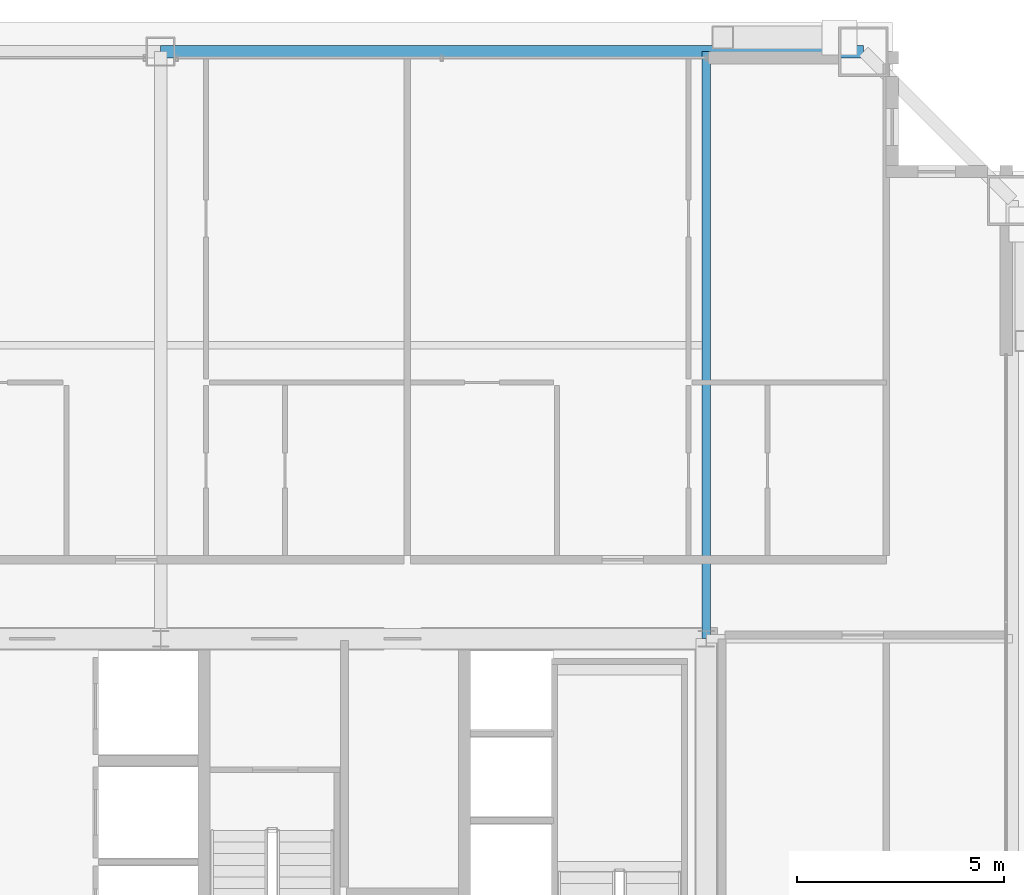
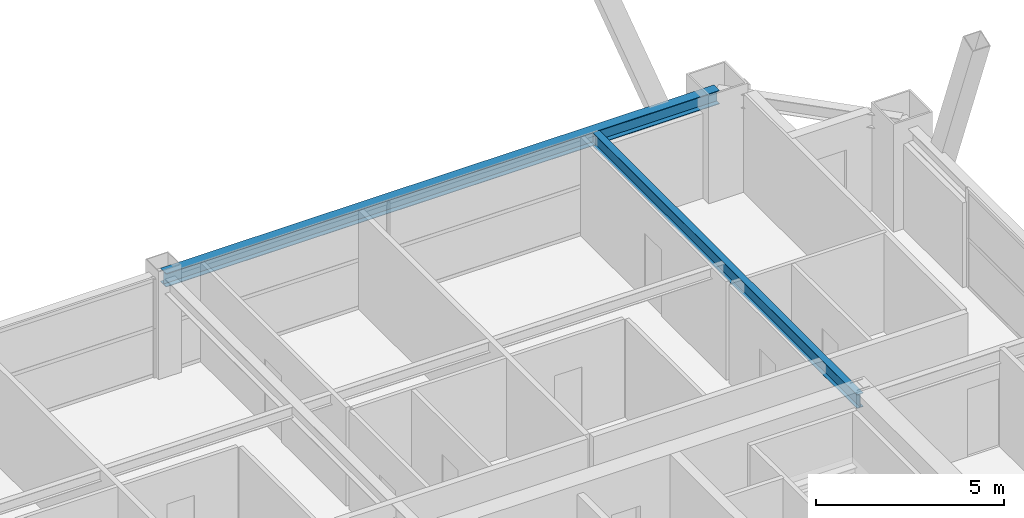
# One storey, part 28 of 36: 2 beams.
"""IFC4 building model written with IfcOpenShell, lengths in metres."""

from ifc_helpers import new_model, si_unit, direction, frame, origin, origin_2d, place, context, subcontext, project, spatial, i_section, extrude, source, transform, mapped, material, material_profile, profile_set, type_object, element, save


model = new_model("IFC4")

# Units and contexts
model_context = context("Model", 3, precision=1e-05, world=origin(), true_north=direction((0.0, 1.0)))
body_context = subcontext(model_context, "Body", "Model", "MODEL_VIEW")
ifc_project = project(units=[si_unit("LENGTHUNIT", "METRE"), si_unit("AREAUNIT", "SQUARE_METRE"), si_unit("VOLUMEUNIT", "CUBIC_METRE"), si_unit("PLANEANGLEUNIT", "RADIAN"), si_unit("MASSUNIT", "GRAM", prefix="KILO"), si_unit("THERMODYNAMICTEMPERATUREUNIT", "KELVIN"), si_unit("POWERUNIT", "WATT")], contexts=[model_context])

# Site, building, storey
site_placement = place(None, origin())
site = spatial("IfcSite", under=ifc_project, at=site_placement, CompositionType="ELEMENT")
building_placement = place(site_placement, origin())
building = spatial("IfcBuilding", under=site, at=building_placement, Name="Yuzanri Waterfront Tower", CompositionType="ELEMENT")
storey_placement = place(building_placement, frame((0.0, 0.0, 255.60009765625)))
storey = spatial("IfcBuildingStorey", under=building, at=storey_placement, Name="L68", CompositionType="ELEMENT", Elevation=255.60009765625)

# Beams
ifc_material_1 = material(Name="Steel Q355B", Category="steel")
ifc_material_profile_1 = material_profile(ifc_material_1, i_section(OverallWidth=0.300048828125, OverallDepth=0.43994140625, WebThickness=0.010986328125, FlangeThickness=0.01806640625, at=origin_2d()), Name="HM 440x300x11x18")
ifc_profile_set_1 = profile_set([ifc_material_profile_1], Name="Steel Q355B")
beam_type_1 = type_object("IfcBeamType", Name="Perimeter Spandrel Q355B HM 440x300", PredefinedType="SPANDREL", material=ifc_profile_set_1)
shared_shape_1 = source(origin(), body_context, "Body", "SweptSolid", [
    extrude(i_section(OverallWidth=0.300048828125, OverallDepth=0.43994140625, WebThickness=0.010986328125, FlangeThickness=0.01806640625, at=origin_2d()), origin(), (0.0, 0.0, 1.0), 17.0),
])
beam_1_placement = place(storey_placement, frame((54.0, 46.39990234375, 2.97998046875), z_axis=(-1.0, 0.0, 0.0), x_axis=(0.0, -1.0, 0.0)))
element("IfcBeam", 1, at=beam_1_placement, inside=storey, type_object=beam_type_1, Name="L68 Perimeter Spandrel N3-N2", PredefinedType="SPANDREL", context=body_context, shape_type="MappedRepresentation", body=[
    mapped(shared_shape_1, transform((0.0, 0.0, 0.0), scale=1.0)),
])
ifc_material_2 = material(Name="Steel Q355B", Category="steel")
ifc_material_profile_2 = material_profile(ifc_material_2, i_section(OverallWidth=0.199951171875, OverallDepth=0.449951171875, WebThickness=0.009033203125, FlangeThickness=0.013916015625, at=origin_2d()), Name="HN 450x200x9x14")
ifc_profile_set_2 = profile_set([ifc_material_profile_2], Name="Steel Q355B")
beam_type_2 = type_object("IfcBeamType", Name="Secondary Floor Beam Q355B HN 450x200", PredefinedType="BEAM", material=ifc_profile_set_2)
shared_shape_2 = source(origin(), body_context, "Body", "SweptSolid", [
    extrude(i_section(OverallWidth=0.199951171875, OverallDepth=0.449951171875, WebThickness=0.009033203125, FlangeThickness=0.013916015625, at=origin_2d()), origin(), (0.0, 0.0, 1.0), 14.199951171875),
])
beam_2_placement = place(storey_placement, frame((50.199951171875, 32.199951171875, 2.974853515625), z_axis=(0.0, 1.0, 0.0), x_axis=(-1.0, 0.0, 0.0)))
element("IfcBeam", 2, at=beam_2_placement, inside=storey, type_object=beam_type_2, Name="L68 North-East Core Line Beam", PredefinedType="BEAM", context=body_context, shape_type="MappedRepresentation", body=[
    mapped(shared_shape_2, transform((0.0, 0.0, 0.0), scale=1.0)),
])

save(model, "model.ifc")
